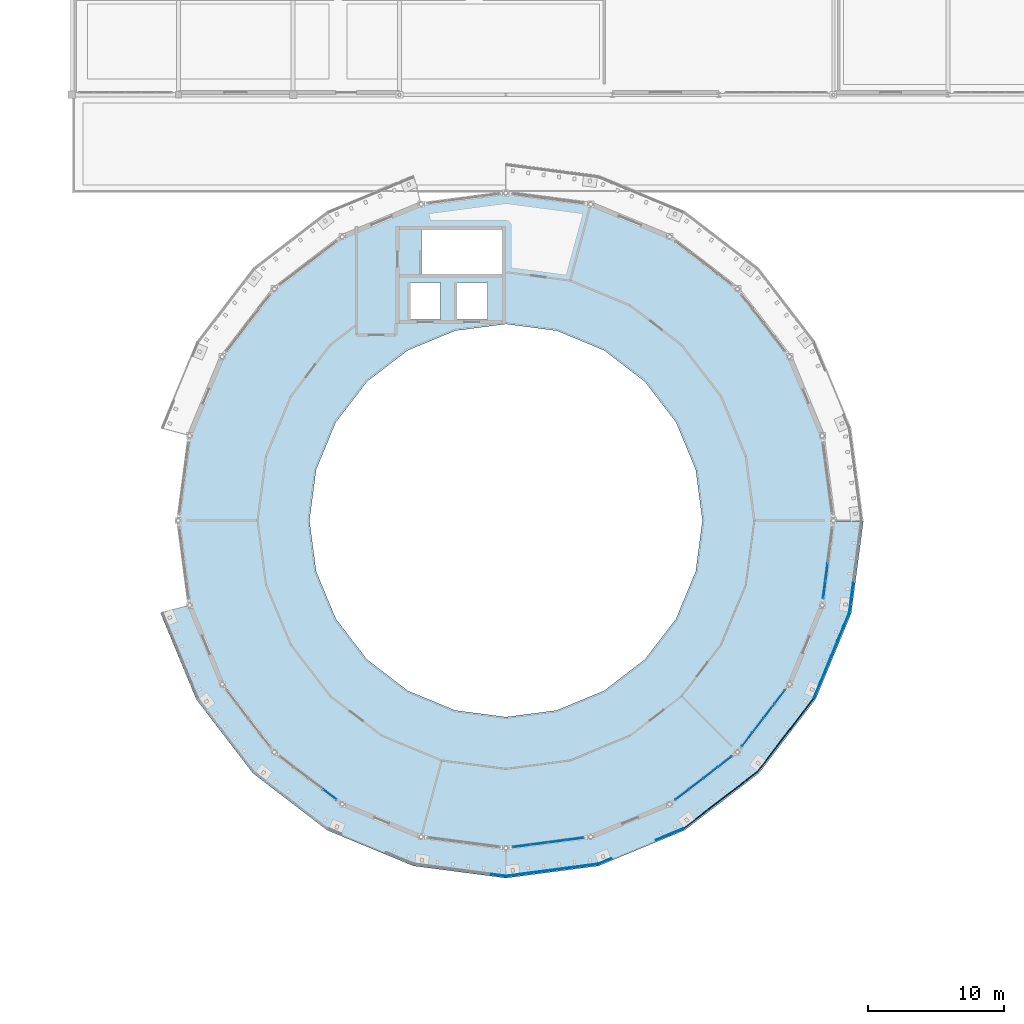
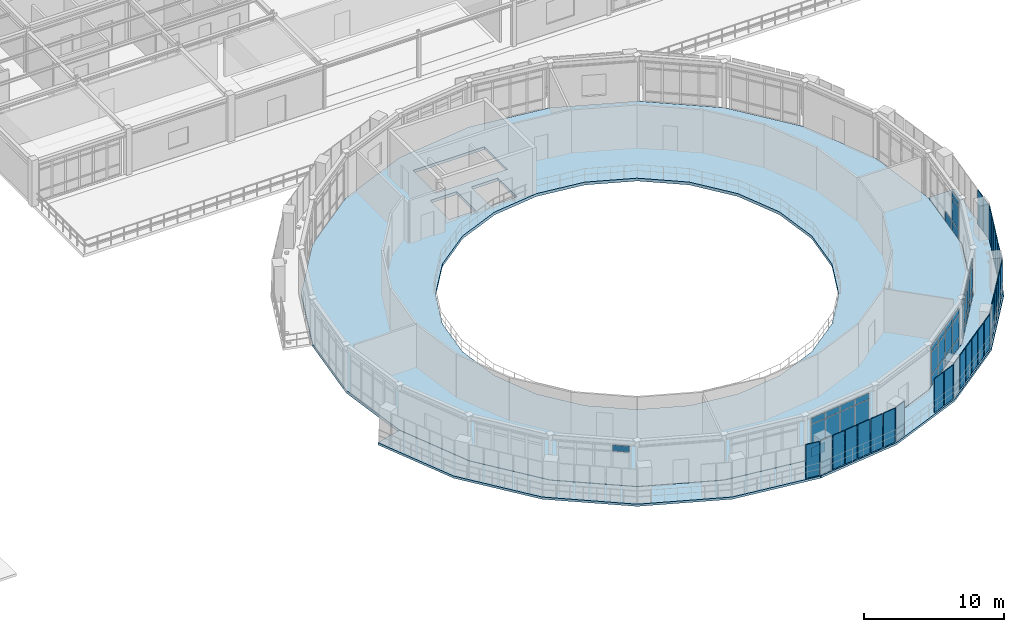
# One storey, part 36 of 58: 71 plates, 3 slabs, 5 elements without a shape of their own.
"""IFC4 building model written with IfcOpenShell, lengths in metres."""

from ifc_helpers import new_model, si_unit, derived_unit, direction, frame, origin, origin_2d, place, context, subcontext, project, spatial, polyline, rectangle, outline, extrude, material, layer, layer_set, type_object, element, aggregate, save


model = new_model("IFC4")

# Units and contexts
model_context = context("Model", 3, precision=1e-05, world=origin(), true_north=direction((0.0, 1.0)))
body_context = subcontext(model_context, "Body", "Model", "MODEL_VIEW")
ifc_project = project(units=[si_unit("LENGTHUNIT", "METRE"), si_unit("AREAUNIT", "SQUARE_METRE"), si_unit("VOLUMEUNIT", "CUBIC_METRE"), si_unit("PLANEANGLEUNIT", "RADIAN"), si_unit("MASSUNIT", "GRAM", prefix="KILO"), derived_unit("THERMALTRANSMITTANCEUNIT", [(si_unit("POWERUNIT", "WATT"), 1), (si_unit("AREAUNIT", "SQUARE_METRE"), -1), (si_unit("THERMODYNAMICTEMPERATUREUNIT", "KELVIN"), -1)])], contexts=[model_context])

# Site, building, storey
site_placement = place(None, origin())
site = spatial("IfcSite", under=ifc_project, at=site_placement, CompositionType="ELEMENT")
building_placement = place(site_placement, origin())
building = spatial("IfcBuilding", under=site, at=building_placement, Name="Yasenodar Specialist Clinic", CompositionType="ELEMENT")
storey_placement = place(building_placement, frame((0.0, 0.0, 17.25)))
storey = spatial("IfcBuildingStorey", under=building, at=storey_placement, Name="L04", CompositionType="ELEMENT", Elevation=17.25)

# Curtain wall, plates
ifc_material_1 = material(Name="Bronze Anodized Aluminium and Triple Low-E Glass", Category="aluminium")
ifc_layer_1 = layer(ifc_material_1, 0.1669921875)
ifc_layer_set_1 = layer_set([ifc_layer_1], Name="Bronze Anodized Aluminium and Triple Low-E Glass")
curtain_wall_type = type_object("IfcCurtainWallType", Name="CW-SYS-01", PredefinedType="USERDEFINED", material=ifc_layer_set_1)
curtain_wall_1_placement = place(storey_placement, origin())
curtain_wall_1 = element("IfcCurtainWall", 1, at=curtain_wall_1_placement, inside=storey, type_object=curtain_wall_type, Name="L04 Unitised Curtain Wall 068", ObjectType="UNITISED CURTAIN WALL", PredefinedType="USERDEFINED")
ifc_material_2 = material(Name="Triple Low-E Argon Glazing", Category="glass")
ifc_layer_2 = layer(ifc_material_2, 0.028076171875)
ifc_layer_set_2 = layer_set([ifc_layer_2], Name="Triple Low-E Argon Glazing")
plate_type_1 = type_object("IfcPlateType", Name="CW-PAN-1", PredefinedType="CURTAIN_PANEL", material=ifc_layer_set_2)
plate_1_placement = place(storey_placement, frame((86.0634765625, 35.466552734375, 0.06005859375), z_axis=(0.0, 0.0, 1.0), x_axis=(-0.991446787601, -0.13051156024, 0.0)))
plate_1 = element("IfcPlate", 2, at=plate_1_placement, type_object=plate_type_1, Name="CW-01 panel 1.1", PredefinedType="CURTAIN_PANEL", context=body_context, shape_type="SweptSolid", body=[
    extrude(rectangle(XDim=1.236328125, YDim=0.028076171875, at=origin_2d()), origin(), (0.0, 0.0, 1.0), 0.81005859375),
])
plate_2_placement = place(storey_placement, frame((86.0634765625, 35.466552734375, 0.93017578125), z_axis=(0.0, 0.0, 1.0), x_axis=(-0.991446787601, -0.13051156024, 0.0)))
plate_2 = element("IfcPlate", 3, at=plate_2_placement, type_object=plate_type_1, Name="CW-01 panel 1.2", PredefinedType="CURTAIN_PANEL", context=body_context, shape_type="SweptSolid", body=[
    extrude(rectangle(XDim=1.236328125, YDim=0.028076171875, at=origin_2d()), origin(), (0.0, 0.0, 1.0), 1.968017578125),
])
plate_3_placement = place(storey_placement, frame((86.0634765625, 35.466552734375, 2.9580078125), z_axis=(0.0, 0.0, 1.0), x_axis=(-0.991446787601, -0.13051156024, 0.0)))
plate_3 = element("IfcPlate", 4, at=plate_3_placement, type_object=plate_type_1, Name="CW-01 panel 1.3", PredefinedType="CURTAIN_PANEL", context=body_context, shape_type="SweptSolid", body=[
    extrude(rectangle(XDim=1.236328125, YDim=0.028076171875, at=origin_2d()), origin(), (0.0, 0.0, 1.0), 0.510009765625),
])
plate_4_placement = place(storey_placement, frame((84.763427734375, 35.29541015625, 0.06005859375), z_axis=(0.0, 0.0, 1.0), x_axis=(-0.991446787601, -0.13051156024, 0.0)))
plate_4 = element("IfcPlate", 5, at=plate_4_placement, type_object=plate_type_1, Name="CW-01 panel 2.1", PredefinedType="CURTAIN_PANEL", context=body_context, shape_type="SweptSolid", body=[
    extrude(rectangle(XDim=1.266357421875, YDim=0.028076171875, at=origin_2d()), origin(), (0.0, 0.0, 1.0), 0.81005859375),
])
plate_5_placement = place(storey_placement, frame((84.763427734375, 35.29541015625, 0.93017578125), z_axis=(0.0, 0.0, 1.0), x_axis=(-0.991446787601, -0.13051156024, 0.0)))
plate_5 = element("IfcPlate", 6, at=plate_5_placement, type_object=plate_type_1, Name="CW-01 panel 2.2", PredefinedType="CURTAIN_PANEL", context=body_context, shape_type="SweptSolid", body=[
    extrude(rectangle(XDim=1.266357421875, YDim=0.028076171875, at=origin_2d()), origin(), (0.0, 0.0, 1.0), 1.968017578125),
])
plate_6_placement = place(storey_placement, frame((84.763427734375, 35.29541015625, 2.9580078125), z_axis=(0.0, 0.0, 1.0), x_axis=(-0.991446787601, -0.13051156024, 0.0)))
plate_6 = element("IfcPlate", 7, at=plate_6_placement, type_object=plate_type_1, Name="CW-01 panel 2.3", PredefinedType="CURTAIN_PANEL", context=body_context, shape_type="SweptSolid", body=[
    extrude(rectangle(XDim=1.266357421875, YDim=0.028076171875, at=origin_2d()), origin(), (0.0, 0.0, 1.0), 0.510009765625),
])
plate_7_placement = place(storey_placement, frame((83.4482421875, 35.122314453125, 0.06005859375), z_axis=(0.0, 0.0, 1.0), x_axis=(-0.991446787601, -0.13051156024, 0.0)))
plate_7 = element("IfcPlate", 8, at=plate_7_placement, type_object=plate_type_1, Name="CW-01 panel 3.1", PredefinedType="CURTAIN_PANEL", context=body_context, shape_type="SweptSolid", body=[
    extrude(rectangle(XDim=1.266357421875, YDim=0.028076171875, at=origin_2d()), origin(), (0.0, 0.0, 1.0), 0.81005859375),
])
plate_8_placement = place(storey_placement, frame((83.4482421875, 35.122314453125, 0.93017578125), z_axis=(0.0, 0.0, 1.0), x_axis=(-0.991446787601, -0.13051156024, 0.0)))
plate_8 = element("IfcPlate", 9, at=plate_8_placement, type_object=plate_type_1, Name="CW-01 panel 3.2", PredefinedType="CURTAIN_PANEL", context=body_context, shape_type="SweptSolid", body=[
    extrude(rectangle(XDim=1.266357421875, YDim=0.028076171875, at=origin_2d()), origin(), (0.0, 0.0, 1.0), 1.968017578125),
])
plate_9_placement = place(storey_placement, frame((83.4482421875, 35.122314453125, 2.9580078125), z_axis=(0.0, 0.0, 1.0), x_axis=(-0.991446787601, -0.13051156024, 0.0)))
plate_9 = element("IfcPlate", 10, at=plate_9_placement, type_object=plate_type_1, Name="CW-01 panel 3.3", PredefinedType="CURTAIN_PANEL", context=body_context, shape_type="SweptSolid", body=[
    extrude(rectangle(XDim=1.266357421875, YDim=0.028076171875, at=origin_2d()), origin(), (0.0, 0.0, 1.0), 0.510009765625),
])
plate_10_placement = place(storey_placement, frame((82.148193359375, 34.951171875, 0.06005859375), z_axis=(0.0, 0.0, 1.0), x_axis=(-0.991446787601, -0.13051156024, 0.0)))
plate_10 = element("IfcPlate", 11, at=plate_10_placement, type_object=plate_type_1, Name="CW-01 panel 4.1", PredefinedType="CURTAIN_PANEL", context=body_context, shape_type="SweptSolid", body=[
    extrude(rectangle(XDim=1.236328125, YDim=0.028076171875, at=origin_2d()), origin(), (0.0, 0.0, 1.0), 0.81005859375),
])
plate_11_placement = place(storey_placement, frame((82.148193359375, 34.951171875, 0.93017578125), z_axis=(0.0, 0.0, 1.0), x_axis=(-0.991446787601, -0.13051156024, 0.0)))
plate_11 = element("IfcPlate", 12, at=plate_11_placement, type_object=plate_type_1, Name="CW-01 panel 4.2", PredefinedType="CURTAIN_PANEL", context=body_context, shape_type="SweptSolid", body=[
    extrude(rectangle(XDim=1.236328125, YDim=0.028076171875, at=origin_2d()), origin(), (0.0, 0.0, 1.0), 1.968017578125),
])
plate_12_placement = place(storey_placement, frame((82.148193359375, 34.951171875, 2.9580078125), z_axis=(0.0, 0.0, 1.0), x_axis=(-0.991446787601, -0.13051156024, 0.0)))
plate_12 = element("IfcPlate", 13, at=plate_12_placement, type_object=plate_type_1, Name="CW-01 panel 4.3", PredefinedType="CURTAIN_PANEL", context=body_context, shape_type="SweptSolid", body=[
    extrude(rectangle(XDim=1.236328125, YDim=0.028076171875, at=origin_2d()), origin(), (0.0, 0.0, 1.0), 0.510009765625),
])
aggregate(curtain_wall_1, [plate_1, plate_2, plate_3, plate_4, plate_5, plate_6, plate_7, plate_8, plate_9, plate_10, plate_11, plate_12])

curtain_wall_2_placement = place(storey_placement, origin())
curtain_wall_2 = element("IfcCurtainWall", 14, at=curtain_wall_2_placement, inside=storey, type_object=curtain_wall_type, Name="L04 Unitised Curtain Wall 069", ObjectType="UNITISED CURTAIN WALL", PredefinedType="USERDEFINED")
ifc_layer_3 = layer(ifc_material_2, 0.033935546875)
ifc_layer_set_3 = layer_set([ifc_layer_3], Name="Triple Low-E Argon Glazing")
plate_type_2 = type_object("IfcPlateType", Name="CW-PAN-2", PredefinedType="CURTAIN_PANEL", material=ifc_layer_set_3)
plate_13_placement = place(storey_placement, frame((97.0517578125, 41.124267578125, 0.06005859375), z_axis=(0.0, 0.0, 1.0), x_axis=(-0.793360558574, -0.608752021844, 0.0)))
plate_13 = element("IfcPlate", 15, at=plate_13_placement, type_object=plate_type_2, Name="CW-01 panel 1.1", PredefinedType="CURTAIN_PANEL", context=body_context, shape_type="SweptSolid", body=[
    extrude(rectangle(XDim=1.236328125, YDim=0.033935546875, at=origin_2d()), origin(), (0.0, 0.0, 1.0), 0.81005859375),
])
plate_14_placement = place(storey_placement, frame((97.0517578125, 41.124267578125, 0.93017578125), z_axis=(0.0, 0.0, 1.0), x_axis=(-0.793360558574, -0.608752021844, 0.0)))
plate_14 = element("IfcPlate", 16, at=plate_14_placement, type_object=plate_type_2, Name="CW-01 panel 1.2", PredefinedType="CURTAIN_PANEL", context=body_context, shape_type="SweptSolid", body=[
    extrude(rectangle(XDim=1.236328125, YDim=0.033935546875, at=origin_2d()), origin(), (0.0, 0.0, 1.0), 1.968017578125),
])
plate_15_placement = place(storey_placement, frame((97.0517578125, 41.124267578125, 2.9580078125), z_axis=(0.0, 0.0, 1.0), x_axis=(-0.793360558574, -0.608752021844, 0.0)))
plate_15 = element("IfcPlate", 17, at=plate_15_placement, type_object=plate_type_2, Name="CW-01 panel 1.3", PredefinedType="CURTAIN_PANEL", context=body_context, shape_type="SweptSolid", body=[
    extrude(rectangle(XDim=1.236328125, YDim=0.033935546875, at=origin_2d()), origin(), (0.0, 0.0, 1.0), 0.510009765625),
])
plate_16_placement = place(storey_placement, frame((96.011474609375, 40.326171875, 0.06005859375), z_axis=(0.0, 0.0, 1.0), x_axis=(-0.793360558574, -0.608752021844, 0.0)))
plate_16 = element("IfcPlate", 18, at=plate_16_placement, type_object=plate_type_2, Name="CW-01 panel 2.1", PredefinedType="CURTAIN_PANEL", context=body_context, shape_type="SweptSolid", body=[
    extrude(rectangle(XDim=1.266357421875, YDim=0.033935546875, at=origin_2d()), origin(), (0.0, 0.0, 1.0), 0.81005859375),
])
plate_17_placement = place(storey_placement, frame((96.011474609375, 40.326171875, 0.93017578125), z_axis=(0.0, 0.0, 1.0), x_axis=(-0.793360558574, -0.608752021844, 0.0)))
plate_17 = element("IfcPlate", 19, at=plate_17_placement, type_object=plate_type_2, Name="CW-01 panel 2.2", PredefinedType="CURTAIN_PANEL", context=body_context, shape_type="SweptSolid", body=[
    extrude(rectangle(XDim=1.266357421875, YDim=0.033935546875, at=origin_2d()), origin(), (0.0, 0.0, 1.0), 1.968017578125),
])
plate_18_placement = place(storey_placement, frame((96.011474609375, 40.326171875, 2.9580078125), z_axis=(0.0, 0.0, 1.0), x_axis=(-0.793360558574, -0.608752021844, 0.0)))
plate_18 = element("IfcPlate", 20, at=plate_18_placement, type_object=plate_type_2, Name="CW-01 panel 2.3", PredefinedType="CURTAIN_PANEL", context=body_context, shape_type="SweptSolid", body=[
    extrude(rectangle(XDim=1.266357421875, YDim=0.033935546875, at=origin_2d()), origin(), (0.0, 0.0, 1.0), 0.510009765625),
])
plate_19_placement = place(storey_placement, frame((94.959228515625, 39.518798828125, 0.06005859375), z_axis=(0.0, 0.0, 1.0), x_axis=(-0.793360558574, -0.608752021844, 0.0)))
plate_19 = element("IfcPlate", 21, at=plate_19_placement, type_object=plate_type_2, Name="CW-01 panel 3.1", PredefinedType="CURTAIN_PANEL", context=body_context, shape_type="SweptSolid", body=[
    extrude(rectangle(XDim=1.266357421875, YDim=0.033935546875, at=origin_2d()), origin(), (0.0, 0.0, 1.0), 0.81005859375),
])
plate_20_placement = place(storey_placement, frame((94.959228515625, 39.518798828125, 0.93017578125), z_axis=(0.0, 0.0, 1.0), x_axis=(-0.793360558574, -0.608752021844, 0.0)))
plate_20 = element("IfcPlate", 22, at=plate_20_placement, type_object=plate_type_2, Name="CW-01 panel 3.2", PredefinedType="CURTAIN_PANEL", context=body_context, shape_type="SweptSolid", body=[
    extrude(rectangle(XDim=1.266357421875, YDim=0.033935546875, at=origin_2d()), origin(), (0.0, 0.0, 1.0), 1.968017578125),
])
plate_21_placement = place(storey_placement, frame((94.959228515625, 39.518798828125, 2.9580078125), z_axis=(0.0, 0.0, 1.0), x_axis=(-0.793360558574, -0.608752021844, 0.0)))
plate_21 = element("IfcPlate", 23, at=plate_21_placement, type_object=plate_type_2, Name="CW-01 panel 3.3", PredefinedType="CURTAIN_PANEL", context=body_context, shape_type="SweptSolid", body=[
    extrude(rectangle(XDim=1.266357421875, YDim=0.033935546875, at=origin_2d()), origin(), (0.0, 0.0, 1.0), 0.510009765625),
])
plate_22_placement = place(storey_placement, frame((93.9189453125, 38.720458984375, 0.06005859375), z_axis=(0.0, 0.0, 1.0), x_axis=(-0.793360558574, -0.608752021844, 0.0)))
plate_22 = element("IfcPlate", 24, at=plate_22_placement, type_object=plate_type_2, Name="CW-01 panel 4.1", PredefinedType="CURTAIN_PANEL", context=body_context, shape_type="SweptSolid", body=[
    extrude(rectangle(XDim=1.236328125, YDim=0.033935546875, at=origin_2d()), origin(), (0.0, 0.0, 1.0), 0.81005859375),
])
plate_23_placement = place(storey_placement, frame((93.9189453125, 38.720458984375, 0.93017578125), z_axis=(0.0, 0.0, 1.0), x_axis=(-0.793360558574, -0.608752021844, 0.0)))
plate_23 = element("IfcPlate", 25, at=plate_23_placement, type_object=plate_type_2, Name="CW-01 panel 4.2", PredefinedType="CURTAIN_PANEL", context=body_context, shape_type="SweptSolid", body=[
    extrude(rectangle(XDim=1.236328125, YDim=0.033935546875, at=origin_2d()), origin(), (0.0, 0.0, 1.0), 1.968017578125),
])
plate_24_placement = place(storey_placement, frame((93.9189453125, 38.720458984375, 2.9580078125), z_axis=(0.0, 0.0, 1.0), x_axis=(-0.793360558574, -0.608752021844, 0.0)))
plate_24 = element("IfcPlate", 26, at=plate_24_placement, type_object=plate_type_2, Name="CW-01 panel 4.3", PredefinedType="CURTAIN_PANEL", context=body_context, shape_type="SweptSolid", body=[
    extrude(rectangle(XDim=1.236328125, YDim=0.033935546875, at=origin_2d()), origin(), (0.0, 0.0, 1.0), 0.510009765625),
])
aggregate(curtain_wall_2, [plate_13, plate_14, plate_15, plate_16, plate_17, plate_18, plate_19, plate_20, plate_21, plate_22, plate_23, plate_24])

# Curtain wall, plate
curtain_wall_3_placement = place(storey_placement, origin())
curtain_wall_3 = element("IfcCurtainWall", 27, at=curtain_wall_3_placement, inside=storey, type_object=curtain_wall_type, Name="L04 Unitised Curtain Wall 066", ObjectType="UNITISED CURTAIN WALL", PredefinedType="USERDEFINED")
ifc_layer_4 = layer(ifc_material_2, 0.0400390625)
ifc_layer_set_4 = layer_set([ifc_layer_4], Name="Triple Low-E Argon Glazing")
plate_type_3 = type_object("IfcPlateType", Name="CW-PAN-3", PredefinedType="CURTAIN_PANEL", material=ifc_layer_set_4)
plate_25_placement = place(storey_placement, frame((68.0810546875, 38.720458984375, 2.9580078125), z_axis=(0.0, 0.0, 1.0), x_axis=(-0.793360558574, 0.608752021844, 0.0)))
plate_25 = element("IfcPlate", 28, at=plate_25_placement, type_object=plate_type_3, Name="CW-01 panel 1.3", PredefinedType="CURTAIN_PANEL", context=body_context, shape_type="SweptSolid", body=[
    extrude(rectangle(XDim=1.236328125, YDim=0.0400390625, at=origin_2d()), origin(), (0.0, 0.0, 1.0), 0.510009765625),
])
aggregate(curtain_wall_3, [plate_25])

# Curtain wall, plates
curtain_wall_4_placement = place(storey_placement, origin())
curtain_wall_4 = element("IfcCurtainWall", 29, at=curtain_wall_4_placement, inside=storey, type_object=curtain_wall_type, Name="L04 Unitised Curtain Wall 070", ObjectType="UNITISED CURTAIN WALL", PredefinedType="USERDEFINED")
plate_26_placement = place(storey_placement, frame((101.077392578125, 45.878173828125, 0.074951171875), z_axis=(0.0, 0.0, 1.0), x_axis=(-0.608752021844, -0.793360558574, 0.0)))
plate_26 = element("IfcPlate", 30, at=plate_26_placement, type_object=plate_type_3, Name="CW-01 panel 1.1", PredefinedType="CURTAIN_PANEL", context=body_context, shape_type="SweptSolid", body=[
    extrude(rectangle(XDim=1.2138671875, YDim=0.0400390625, at=origin_2d()), origin(), (0.0, 0.0, 1.0), 0.78759765625),
])
plate_27_placement = place(storey_placement, frame((101.077392578125, 45.878173828125, 0.9375), z_axis=(0.0, 0.0, 1.0), x_axis=(-0.608752021844, -0.793360558574, 0.0)))
plate_27 = element("IfcPlate", 31, at=plate_27_placement, type_object=plate_type_3, Name="CW-01 panel 1.2", PredefinedType="CURTAIN_PANEL", context=body_context, shape_type="SweptSolid", body=[
    extrude(rectangle(XDim=1.2138671875, YDim=0.0400390625, at=origin_2d()), origin(), (0.0, 0.0, 1.0), 1.952880859375),
])
plate_28_placement = place(storey_placement, frame((101.077392578125, 45.878173828125, 2.96533203125), z_axis=(0.0, 0.0, 1.0), x_axis=(-0.608752021844, -0.793360558574, 0.0)))
plate_28 = element("IfcPlate", 32, at=plate_28_placement, type_object=plate_type_3, Name="CW-01 panel 1.3", PredefinedType="CURTAIN_PANEL", context=body_context, shape_type="SweptSolid", body=[
    extrude(rectangle(XDim=1.2138671875, YDim=0.0400390625, at=origin_2d()), origin(), (0.0, 0.0, 1.0), 0.487548828125),
])
plate_29_placement = place(storey_placement, frame((100.28125, 44.8408203125, 0.074951171875), z_axis=(0.0, 0.0, 1.0), x_axis=(-0.608752021844, -0.793360558574, 0.0)))
plate_29 = element("IfcPlate", 33, at=plate_29_placement, type_object=plate_type_3, Name="CW-01 panel 2.1", PredefinedType="CURTAIN_PANEL", context=body_context, shape_type="SweptSolid", body=[
    extrude(rectangle(XDim=1.251220703125, YDim=0.0400390625, at=origin_2d()), origin(), (0.0, 0.0, 1.0), 0.78759765625),
])
plate_30_placement = place(storey_placement, frame((100.28125, 44.8408203125, 0.9375), z_axis=(0.0, 0.0, 1.0), x_axis=(-0.608752021844, -0.793360558574, 0.0)))
plate_30 = element("IfcPlate", 34, at=plate_30_placement, type_object=plate_type_3, Name="CW-01 panel 2.2", PredefinedType="CURTAIN_PANEL", context=body_context, shape_type="SweptSolid", body=[
    extrude(rectangle(XDim=1.251220703125, YDim=0.0400390625, at=origin_2d()), origin(), (0.0, 0.0, 1.0), 1.952880859375),
])
plate_31_placement = place(storey_placement, frame((100.28125, 44.8408203125, 2.96533203125), z_axis=(0.0, 0.0, 1.0), x_axis=(-0.608752021844, -0.793360558574, 0.0)))
plate_31 = element("IfcPlate", 35, at=plate_31_placement, type_object=plate_type_3, Name="CW-01 panel 2.3", PredefinedType="CURTAIN_PANEL", context=body_context, shape_type="SweptSolid", body=[
    extrude(rectangle(XDim=1.251220703125, YDim=0.0400390625, at=origin_2d()), origin(), (0.0, 0.0, 1.0), 0.487548828125),
])
plate_32_placement = place(storey_placement, frame((99.473876953125, 43.78857421875, 0.074951171875), z_axis=(0.0, 0.0, 1.0), x_axis=(-0.608752021844, -0.793360558574, 0.0)))
plate_32 = element("IfcPlate", 36, at=plate_32_placement, type_object=plate_type_3, Name="CW-01 panel 3.1", PredefinedType="CURTAIN_PANEL", context=body_context, shape_type="SweptSolid", body=[
    extrude(rectangle(XDim=1.251220703125, YDim=0.0400390625, at=origin_2d()), origin(), (0.0, 0.0, 1.0), 0.78759765625),
])
plate_33_placement = place(storey_placement, frame((99.473876953125, 43.78857421875, 0.9375), z_axis=(0.0, 0.0, 1.0), x_axis=(-0.608752021844, -0.793360558574, 0.0)))
plate_33 = element("IfcPlate", 37, at=plate_33_placement, type_object=plate_type_3, Name="CW-01 panel 3.2", PredefinedType="CURTAIN_PANEL", context=body_context, shape_type="SweptSolid", body=[
    extrude(rectangle(XDim=1.251220703125, YDim=0.0400390625, at=origin_2d()), origin(), (0.0, 0.0, 1.0), 1.952880859375),
])
plate_34_placement = place(storey_placement, frame((99.473876953125, 43.78857421875, 2.96533203125), z_axis=(0.0, 0.0, 1.0), x_axis=(-0.608752021844, -0.793360558574, 0.0)))
plate_34 = element("IfcPlate", 38, at=plate_34_placement, type_object=plate_type_3, Name="CW-01 panel 3.3", PredefinedType="CURTAIN_PANEL", context=body_context, shape_type="SweptSolid", body=[
    extrude(rectangle(XDim=1.251220703125, YDim=0.0400390625, at=origin_2d()), origin(), (0.0, 0.0, 1.0), 0.487548828125),
])
plate_35_placement = place(storey_placement, frame((98.677978515625, 42.751220703125, 0.074951171875), z_axis=(0.0, 0.0, 1.0), x_axis=(-0.608752021844, -0.793360558574, 0.0)))
plate_35 = element("IfcPlate", 39, at=plate_35_placement, type_object=plate_type_3, Name="CW-01 panel 4.1", PredefinedType="CURTAIN_PANEL", context=body_context, shape_type="SweptSolid", body=[
    extrude(rectangle(XDim=1.2138671875, YDim=0.0400390625, at=origin_2d()), origin(), (0.0, 0.0, 1.0), 0.78759765625),
])
plate_36_placement = place(storey_placement, frame((98.677978515625, 42.751220703125, 0.9375), z_axis=(0.0, 0.0, 1.0), x_axis=(-0.608752021844, -0.793360558574, 0.0)))
plate_36 = element("IfcPlate", 40, at=plate_36_placement, type_object=plate_type_3, Name="CW-01 panel 4.2", PredefinedType="CURTAIN_PANEL", context=body_context, shape_type="SweptSolid", body=[
    extrude(rectangle(XDim=1.2138671875, YDim=0.0400390625, at=origin_2d()), origin(), (0.0, 0.0, 1.0), 1.952880859375),
])
plate_37_placement = place(storey_placement, frame((98.677978515625, 42.751220703125, 2.96533203125), z_axis=(0.0, 0.0, 1.0), x_axis=(-0.608752021844, -0.793360558574, 0.0)))
plate_37 = element("IfcPlate", 41, at=plate_37_placement, type_object=plate_type_3, Name="CW-01 panel 4.3", PredefinedType="CURTAIN_PANEL", context=body_context, shape_type="SweptSolid", body=[
    extrude(rectangle(XDim=1.2138671875, YDim=0.0400390625, at=origin_2d()), origin(), (0.0, 0.0, 1.0), 0.487548828125),
])
aggregate(curtain_wall_4, [plate_26, plate_27, plate_28, plate_29, plate_30, plate_31, plate_32, plate_33, plate_34, plate_35, plate_36, plate_37])

curtain_wall_5_placement = place(storey_placement, origin())
curtain_wall_5 = element("IfcCurtainWall", 42, at=curtain_wall_5_placement, inside=storey, type_object=curtain_wall_type, Name="L04 Unitised Curtain Wall 071", ObjectType="UNITISED CURTAIN WALL", PredefinedType="USERDEFINED")
ifc_layer_5 = layer(ifc_material_2, 0.0458984375)
ifc_layer_set_5 = layer_set([ifc_layer_5], Name="Triple Low-E Argon Glazing")
plate_type_4 = type_object("IfcPlateType", Name="CW-PAN-4", PredefinedType="CURTAIN_PANEL", material=ifc_layer_set_5)
plate_38_placement = place(storey_placement, frame((104.504638671875, 55.03662109375, 0.06005859375), z_axis=(0.0, 0.0, 1.0), x_axis=(-0.13051156024, -0.991446787601, 0.0)))
plate_38 = element("IfcPlate", 43, at=plate_38_placement, type_object=plate_type_4, Name="CW-01 panel 3.1", PredefinedType="CURTAIN_PANEL", context=body_context, shape_type="SweptSolid", body=[
    extrude(rectangle(XDim=1.266357421875, YDim=0.0458984375, at=origin_2d()), origin(), (0.0, 0.0, 1.0), 0.81005859375),
])
plate_39_placement = place(storey_placement, frame((104.33349609375, 53.736572265625, 0.06005859375), z_axis=(0.0, 0.0, 1.0), x_axis=(-0.13051156024, -0.991446787601, 0.0)))
plate_39 = element("IfcPlate", 44, at=plate_39_placement, type_object=plate_type_4, Name="CW-01 panel 4.1", PredefinedType="CURTAIN_PANEL", context=body_context, shape_type="SweptSolid", body=[
    extrude(rectangle(XDim=1.236328125, YDim=0.0458984375, at=origin_2d()), origin(), (0.0, 0.0, 1.0), 0.81005859375),
])
plate_40_placement = place(storey_placement, frame((104.33349609375, 53.736572265625, 0.93017578125), z_axis=(0.0, 0.0, 1.0), x_axis=(-0.13051156024, -0.991446787601, 0.0)))
plate_40 = element("IfcPlate", 45, at=plate_40_placement, type_object=plate_type_4, Name="CW-01 panel 4.2", PredefinedType="CURTAIN_PANEL", context=body_context, shape_type="SweptSolid", body=[
    extrude(rectangle(XDim=1.236328125, YDim=0.0458984375, at=origin_2d()), origin(), (0.0, 0.0, 1.0), 1.968017578125),
])
plate_41_placement = place(storey_placement, frame((104.33349609375, 53.736572265625, 2.9580078125), z_axis=(0.0, 0.0, 1.0), x_axis=(-0.13051156024, -0.991446787601, 0.0)))
plate_41 = element("IfcPlate", 46, at=plate_41_placement, type_object=plate_type_4, Name="CW-01 panel 4.3", PredefinedType="CURTAIN_PANEL", context=body_context, shape_type="SweptSolid", body=[
    extrude(rectangle(XDim=1.236328125, YDim=0.0458984375, at=origin_2d()), origin(), (0.0, 0.0, 1.0), 0.510009765625),
])
aggregate(curtain_wall_5, [plate_38, plate_39, plate_40, plate_41])

# Plates
ifc_material_3 = material(Name="Thermally Modified Larch and Bronze Girih Jali Screen")
ifc_layer_6 = layer(ifc_material_3, 0.06494140625)
ifc_layer_set_6 = layer_set([ifc_layer_6], Name="Thermally Modified Larch and Bronze Girih Jali Screen")
plate_type_5 = type_object("IfcPlateType", Name="PL-JALI-850", PredefinedType="USERDEFINED", material=ifc_layer_set_6)
for number, where, z_axis, x_axis, name in (
    (47, (80.453125, 32.813232421875, 0.0048828125), (0.0, 0.0, 1.0), (0.991445783754, -0.130519185854, 0.0), "L04 Sliding Timber-Bronze Jali Shutter Screen 0411"),
    (48, (81.546875, 32.813232421875, 0.0048828125), (0.0, 0.0, 1.0), (0.991445783754, 0.130519185854, 0.0), "L04 Sliding Timber-Bronze Jali Shutter Screen 0412"),
    (49, (82.677001953125, 32.9619140625, 0.0048828125), (0.0, 0.0, 1.0), (0.991445783754, 0.130519185854, 0.0), "L04 Sliding Timber-Bronze Jali Shutter Screen 0413"),
    (50, (83.80712890625, 33.11083984375, 0.0048828125), (0.0, 0.0, 1.0), (0.991445783754, 0.130519185854, 0.0), "L04 Sliding Timber-Bronze Jali Shutter Screen 0414"),
    (51, (84.9375, 33.259521484375, 0.0048828125), (0.0, 0.0, 1.0), (0.991445783754, 0.130519185854, 0.0), "L04 Sliding Timber-Bronze Jali Shutter Screen 0415"),
    (52, (86.067626953125, 33.408203125, 0.0048828125), (0.0, 0.0, 1.0), (0.991445783754, 0.130519185854, 0.0), "L04 Sliding Timber-Bronze Jali Shutter Screen 0416"),
    (53, (87.19775390625, 33.55712890625, 0.0048828125), (0.0, 0.0, 1.0), (0.991445783754, 0.130519185854, 0.0), "L04 Sliding Timber-Bronze Jali Shutter Screen 0417"),
    (54, (88.254150390625, 33.840087890625, 0.0048828125), (0.0, 0.0, 1.0), (0.923878192594, 0.382686667195, 0.0), "L04 Sliding Timber-Bronze Jali Shutter Screen 0418"),
    (55, (92.466796875, 35.585205078125, 0.0048828125), (0.0, 0.0, 1.0), (0.923878192594, 0.382686667195, 0.0), "L04 Sliding Timber-Bronze Jali Shutter Screen 0419"),
    (56, (93.519775390625, 36.021240234375, 0.0048828125), (0.0, 0.0, 1.0), (0.923878192594, 0.382686667195, 0.0), "L04 Sliding Timber-Bronze Jali Shutter Screen 0420"),
    (57, (94.467041015625, 36.568115234375, 0.0048828125), (0.0, 0.0, 1.0), (0.793351200869, 0.608764217148, 0.0), "L04 Sliding Timber-Bronze Jali Shutter Screen 0421"),
    (58, (95.371337890625, 37.26220703125, 0.0048828125), (0.0, 0.0, 1.0), (0.793351200869, 0.608764217148, 0.0), "L04 Sliding Timber-Bronze Jali Shutter Screen 0422"),
    (59, (96.275634765625, 37.9560546875, 0.0048828125), (0.0, 0.0, 1.0), (0.793351200869, 0.608764217148, 0.0), "L04 Sliding Timber-Bronze Jali Shutter Screen 0423"),
    (60, (97.18017578125, 38.64990234375, 0.0048828125), (0.0, 0.0, 1.0), (0.793351200869, 0.608764217148, 0.0), "L04 Sliding Timber-Bronze Jali Shutter Screen 0424"),
    (61, (98.08447265625, 39.343994140625, 0.0048828125), (0.0, 0.0, 1.0), (0.793351200869, 0.608764217148, 0.0), "L04 Sliding Timber-Bronze Jali Shutter Screen 0425"),
    (62, (98.98876953125, 40.037841796875, 0.0048828125), (0.0, 0.0, 1.0), (0.793351200869, 0.608764217148, 0.0), "L04 Sliding Timber-Bronze Jali Shutter Screen 0426"),
    (63, (99.76220703125, 40.811279296875, 0.0048828125), (0.0, 0.0, 1.0), (0.608764217148, 0.793351200869, 0.0), "L04 Sliding Timber-Bronze Jali Shutter Screen 0427"),
    (64, (100.4560546875, 41.715576171875, 0.0048828125), (0.0, 0.0, 1.0), (0.608764217148, 0.793351200869, 0.0), "L04 Sliding Timber-Bronze Jali Shutter Screen 0428"),
    (65, (101.14990234375, 42.619873046875, 0.0048828125), (0.0, 0.0, 1.0), (0.608764217148, 0.793351200869, 0.0), "L04 Sliding Timber-Bronze Jali Shutter Screen 0429"),
    (66, (101.843994140625, 43.5244140625, 0.0048828125), (0.0, 0.0, 1.0), (0.608764217148, 0.793351200869, 0.0), "L04 Sliding Timber-Bronze Jali Shutter Screen 0430"),
    (67, (102.537841796875, 44.4287109375, 0.0048828125), (0.0, 0.0, 1.0), (0.608764217148, 0.793351200869, 0.0), "L04 Sliding Timber-Bronze Jali Shutter Screen 0431"),
    (68, (103.23193359375, 45.3330078125, 0.0048828125), (0.0, 0.0, 1.0), (0.608764217148, 0.793351200869, 0.0), "L04 Sliding Timber-Bronze Jali Shutter Screen 0432"),
    (69, (103.77880859375, 46.2802734375, 0.0048828125), (0.0, 0.0, 1.0), (0.382686667195, 0.923878192594, 0.0), "L04 Sliding Timber-Bronze Jali Shutter Screen 0433"),
    (70, (104.21484375, 47.333251953125, 0.0048828125), (0.0, 0.0, 1.0), (0.382686667195, 0.923878192594, 0.0), "L04 Sliding Timber-Bronze Jali Shutter Screen 0434"),
    (71, (104.651123046875, 48.386474609375, 0.0048828125), (0.0, 0.0, 1.0), (0.382686667195, 0.923878192594, 0.0), "L04 Sliding Timber-Bronze Jali Shutter Screen 0435"),
    (72, (105.08740234375, 49.439697265625, 0.0048828125), (0.0, 0.0, 1.0), (0.382686667195, 0.923878192594, 0.0), "L04 Sliding Timber-Bronze Jali Shutter Screen 0436"),
    (73, (105.523681640625, 50.492919921875, 0.0048828125), (0.0, 0.0, 1.0), (0.382686667195, 0.923878192594, 0.0), "L04 Sliding Timber-Bronze Jali Shutter Screen 0437"),
    (74, (105.959716796875, 51.5458984375, 0.0048828125), (0.0, 0.0, 1.0), (0.382686667195, 0.923878192594, 0.0), "L04 Sliding Timber-Bronze Jali Shutter Screen 0438"),
    (75, (106.242919921875, 52.602294921875, 0.0048828125), (0.0, 0.0, 1.0), (0.130519185854, 0.991445783754, 0.0), "L04 Sliding Timber-Bronze Jali Shutter Screen 0439"),
    (76, (106.3916015625, 53.732421875, 0.0048828125), (0.0, 0.0, 1.0), (0.130519185854, 0.991445783754, 0.0), "L04 Sliding Timber-Bronze Jali Shutter Screen 0440"),
):
    element("IfcPlate", number, at=place(storey_placement, frame(where, z_axis=z_axis, x_axis=x_axis)), inside=storey, type_object=plate_type_5, Name=name, ObjectType="SCREEN_PANEL", PredefinedType="USERDEFINED", context=body_context, shape_type="SweptSolid", body=[
        extrude(rectangle(XDim=1.0400390625, YDim=0.06494140625, at=origin_2d()), origin(), (0.0, 0.0, 1.0), 2.949951171875),
    ])

# Slabs
ifc_material_4 = material(Name="Concrete C30/37", Category="concrete")
ifc_layer_7 = layer(ifc_material_4, 0.195068359375)
ifc_layer_set_7 = layer_set([ifc_layer_7], Name="Concrete C30/37")
slab_type_1 = type_object("IfcSlabType", Name="SLB-BALC-195", PredefinedType="FLOOR", material=ifc_layer_set_7)
slab_1_placement = place(storey_placement, frame((0.0, 0.0, -0.195068359375)))
element("IfcSlab", 77, at=slab_1_placement, inside=storey, type_object=slab_type_1, Name="L04 Drum V1 Balcony Sector 3", PredefinedType="FLOOR", context=body_context, shape_type="SweptSolid", body=[
    extrude(outline(polyline([(81.0, 32.60009765625), (74.218994140625, 33.49267578125), (67.89990234375, 36.110107421875), (62.473876953125, 40.273681640625), (58.31005859375, 45.699951171875), (55.692626953125, 52.018798828125), (57.80322265625, 52.58447265625), (60.202392578125, 46.79248046875), (64.018798828125, 41.818603515625), (68.992431640625, 38.002197265625), (74.784423828125, 35.603271484375), (81.0, 34.784912109375), (81.0, 32.60009765625)])), origin(), (0.0, 0.0, 1.0), 0.195068359375),
])
slab_2_placement = place(storey_placement, frame((0.0, 0.0, -0.195068359375)))
element("IfcSlab", 78, at=slab_2_placement, inside=storey, type_object=slab_type_1, Name="L04 Drum V1 Balcony Sector 4", PredefinedType="FLOOR", context=body_context, shape_type="SweptSolid", body=[
    extrude(outline(polyline([(106.307373046875, 52.018798828125), (103.68994140625, 45.699951171875), (99.526123046875, 40.273681640625), (94.10009765625, 36.110107421875), (87.781005859375, 33.49267578125), (81.014892578125, 32.60205078125), (81.014892578125, 34.786865234375), (87.215576171875, 35.603271484375), (93.007568359375, 38.002197265625), (97.981201171875, 41.818603515625), (101.797607421875, 46.79248046875), (104.19677734375, 52.58447265625), (105.01318359375, 58.784912109375), (107.197998046875, 58.784912109375), (106.307373046875, 52.018798828125)])), origin(), (0.0, 0.0, 1.0), 0.195068359375),
])
ifc_layer_8 = layer(ifc_material_4, 0.25)
ifc_layer_set_8 = layer_set([ifc_layer_8], Name="Concrete C30/37")
slab_type_2 = type_object("IfcSlabType", Name="SLB-FLR-250", PredefinedType="FLOOR", material=ifc_layer_set_8)
slab_3_placement = place(storey_placement, frame((0.0, 0.0, -0.25)))
element("IfcSlab", 79, at=slab_3_placement, inside=storey, type_object=slab_type_2, Name="L04 V1 structural slab", PredefinedType="FLOOR", context=body_context, shape_type="SweptSolid", body=[
    extrude(outline(polyline([(105.0, 58.800048828125), (104.18212890625, 65.01171875), (101.78466796875, 70.800048828125), (97.970703125, 75.7705078125), (93.0, 79.584716796875), (87.211669921875, 81.982177734375), (81.0, 82.800048828125), (74.788330078125, 81.982177734375), (69.0, 79.584716796875), (64.029296875, 75.7705078125), (60.21533203125, 70.800048828125), (57.81787109375, 65.01171875), (57.0, 58.800048828125), (57.81787109375, 52.58837890625), (60.21533203125, 46.800048828125), (64.029296875, 41.829345703125), (69.0, 38.015380859375), (74.788330078125, 35.617919921875), (81.0, 34.800048828125), (87.211669921875, 35.617919921875), (93.0, 38.015380859375), (97.970703125, 41.829345703125), (101.78466796875, 46.800048828125), (104.18212890625, 52.58837890625), (105.0, 58.800048828125)]), holes=[polyline([(74.830078125, 76.860107421875), (80.719970703125, 76.860107421875), (80.719970703125, 80.110107421875), (74.830078125, 80.110107421875), (74.830078125, 76.860107421875)]), polyline([(74.0, 73.550048828125), (76.199951171875, 73.550048828125), (76.199951171875, 76.25), (74.0, 76.25), (74.0, 73.550048828125)]), polyline([(77.39990234375, 73.550048828125), (79.60009765625, 73.550048828125), (79.60009765625, 76.25), (77.39990234375, 76.25), (77.39990234375, 73.550048828125)]), polyline([(95.39990234375, 58.800048828125), (94.9091796875, 62.527099609375), (93.470703125, 66.0), (91.182373046875, 68.982421875), (88.199951171875, 71.270751953125), (84.72705078125, 72.709228515625), (81.0, 73.199951171875), (77.27294921875, 72.709228515625), (73.800048828125, 71.270751953125), (70.817626953125, 68.982421875), (68.529296875, 66.0), (67.0908203125, 62.527099609375), (66.60009765625, 58.800048828125), (67.0908203125, 55.072998046875), (68.529296875, 51.60009765625), (70.817626953125, 48.61767578125), (73.800048828125, 46.3291015625), (77.27294921875, 44.890625), (81.0, 44.39990234375), (84.72705078125, 44.890625), (88.199951171875, 46.3291015625), (91.182373046875, 48.61767578125), (93.470703125, 51.60009765625), (94.9091796875, 55.072998046875), (95.39990234375, 58.800048828125)])]), origin(), (0.0, 0.0, 1.0), 0.25),
])

save(model, "model.ifc")
